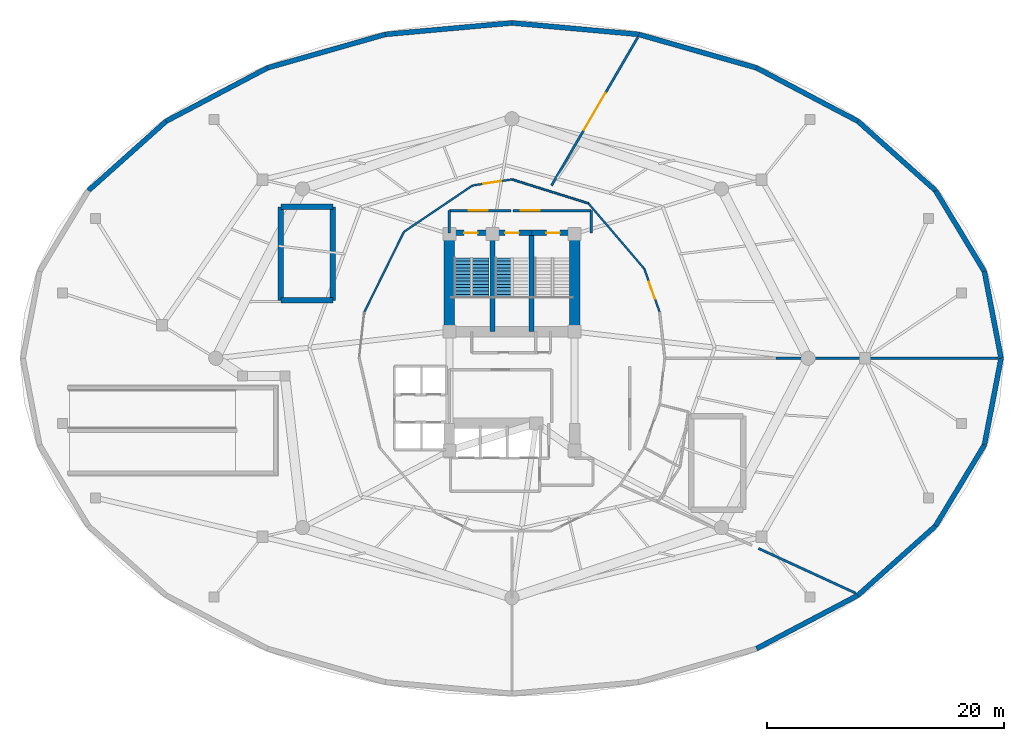
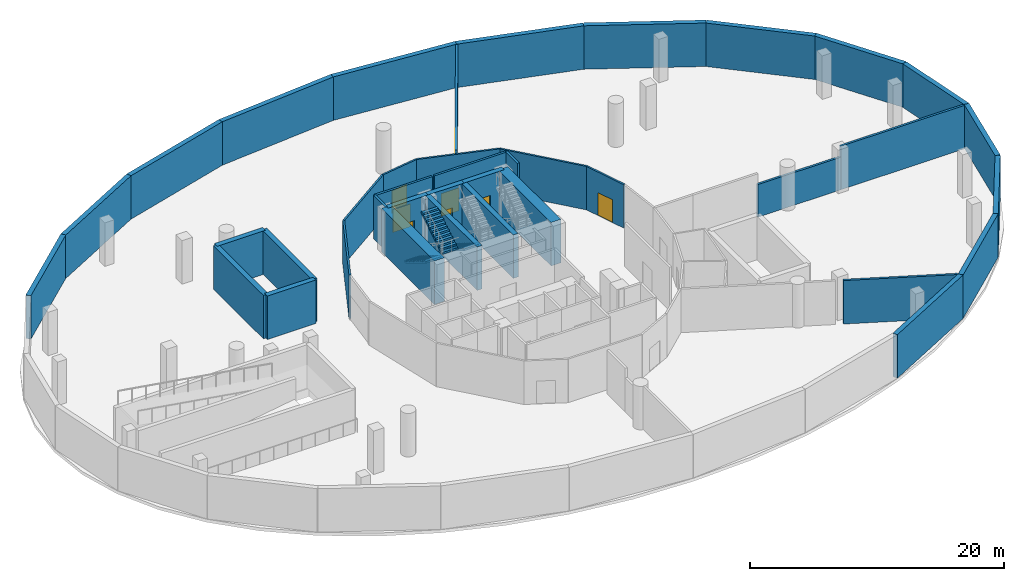
# One storey, part 5 of 8: 39 walls, 8 doors, 3 stair flights, 8 openings, 2 elements without a shape of their own.
"""IFC4 building model written with IfcOpenShell, lengths in metres."""

from ifc_helpers import new_model, si_unit, direction, frame, frame_2d, origin, place, context, subcontext, project, spatial, polyline, rectangle, outline, extrude, material, layer, layer_set, type_object, element, fill, aggregate, save


model = new_model("IFC4")

# Units and contexts
model_context = context("Model", 3, precision=1e-05, world=origin(), true_north=direction((0.0, 1.0)))
body_context = subcontext(model_context, "Body", "Model", "MODEL_VIEW")
ifc_project = project(units=[si_unit("LENGTHUNIT", "METRE"), si_unit("AREAUNIT", "SQUARE_METRE"), si_unit("VOLUMEUNIT", "CUBIC_METRE"), si_unit("PLANEANGLEUNIT", "RADIAN"), si_unit("MASSUNIT", "GRAM", prefix="KILO")], contexts=[model_context])

# Site, building, storey
site_placement = place(None, origin())
site = spatial("IfcSite", under=ifc_project, at=site_placement, CompositionType="ELEMENT")
building_placement = place(site_placement, origin())
building = spatial("IfcBuilding", under=site, at=building_placement, Name="Nuhasar Tower", CompositionType="ELEMENT")
storey_placement = place(building_placement, frame((0.0, 0.0, -4.5)))
storey = spatial("IfcBuildingStorey", under=building, at=storey_placement, Name="B1", CompositionType="ELEMENT", Elevation=-4.5)

# Wall, opening, door
ifc_material_1 = material(Name="Concrete C50/60", Category="concrete")
ifc_layer_1 = layer(ifc_material_1, 0.449951171875)
ifc_layer_set_1 = layer_set([ifc_layer_1], Name="Concrete C50/60")
wall_type_1 = type_object("IfcWallType", Name="WL-CORE-450", PredefinedType="SHEAR", material=ifc_layer_set_1)
wall_1_placement = place(storey_placement, frame((37.35009765625, 37.39990234375, 0.0), z_axis=(0.0, 0.0, 1.0), x_axis=(-1.0, 0.0, 0.0)))
wall_1 = element("IfcWall", 1, at=wall_1_placement, inside=storey, type_object=wall_type_1, Name="B1 Stairwell Shear Wall ST01-N", PredefinedType="SHEAR", context=body_context, shape_type="SweptSolid", body=[
    extrude(rectangle(XDim=3.650146484375, YDim=0.449951171875, at=frame_2d((1.8251953125, 0.0))), origin(), (0.0, 0.0, 1.0), 4.179931640625),
])
opening_1_placement = place(wall_1_placement, frame((1.25, 0.0, 0.0)))
opening_1 = element("IfcOpeningElement", 2, at=opening_1_placement, cuts=wall_1, Name="Opening DS-01", PredefinedType="OPENING", context=body_context, shape_type="SweptSolid", body=[
    extrude(rectangle(XDim=1.14990234375, YDim=2.14990234375, at=frame_2d((0.574951171875, 1.074951171875))), frame((0.0, 0.23486328125, 0.0), z_axis=(0.0, -1.0, 0.0), x_axis=(1.0, 0.0, 0.0)), (0.0, 0.0, 1.0), 0.469970703125),
])
ifc_material_2 = material(Name="Steel S355", Category="steel")
door_type_1 = type_object("IfcDoorType", Name="DR-STAIR-FD120-1150", OperationType="NOTDEFINED", PredefinedType="DOOR", material=ifc_material_2)
door_1_placement = place(opening_1_placement, origin())
door_1 = element("IfcDoor", 3, at=door_1_placement, inside=storey, type_object=door_type_1, Name="B1 Exit Stair ST-01 Door", OperationType="SINGLE_SWING_RIGHT", OverallHeight=2.14990234375, OverallWidth=1.14990234375, PredefinedType="DOOR", context=body_context, shape_type="SweptSolid", body=[
    extrude(rectangle(XDim=1.14990234375, YDim=2.14990234375, at=frame_2d((0.574951171875, 1.074951171875))), frame((0.0, 0.02490234375, 0.0), z_axis=(0.0, -1.0, 0.0), x_axis=(1.0, 0.0, 0.0)), (0.0, 0.0, 1.0), 0.050048828125),
])
fill(opening_1, door_1)

# Wall
wall_2_placement = place(storey_placement, frame((37.35009765625, 29.050048828125, 0.0), z_axis=(0.0, 0.0, 1.0), x_axis=(0.0, 1.0, 0.0)))
element("IfcWall", 4, at=wall_2_placement, inside=storey, type_object=wall_type_1, Name="B1 Stairwell Shear Wall ST01-E", PredefinedType="SHEAR", context=body_context, shape_type="SweptSolid", body=[
    extrude(rectangle(XDim=8.349853515625, YDim=0.449951171875, at=frame_2d((4.1748046875, 0.0))), origin(), (0.0, 0.0, 1.0), 4.179931640625),
])

# Wall, opening, door
wall_3_placement = place(storey_placement, frame((40.64990234375, 37.39990234375, 0.0), z_axis=(0.0, 0.0, 1.0), x_axis=(-1.0, 0.0, 0.0)))
wall_3 = element("IfcWall", 5, at=wall_3_placement, inside=storey, type_object=wall_type_1, Name="B1 Stairwell Shear Wall ST03-N", PredefinedType="SHEAR", context=body_context, shape_type="SweptSolid", body=[
    extrude(rectangle(XDim=3.2998046875, YDim=0.449951171875, at=frame_2d((1.64990234375, 0.0))), origin(), (0.0, 0.0, 1.0), 4.179931640625),
])
opening_2_placement = place(wall_3_placement, frame((1.074951171875, 0.0, 0.0)))
opening_2 = element("IfcOpeningElement", 6, at=opening_2_placement, cuts=wall_3, Name="Opening DS-01", PredefinedType="OPENING", context=body_context, shape_type="SweptSolid", body=[
    extrude(rectangle(XDim=1.14990234375, YDim=2.14990234375, at=frame_2d((0.574951171875, 1.074951171875))), frame((0.0, 0.23486328125, 0.0), z_axis=(0.0, -1.0, 0.0), x_axis=(1.0, 0.0, 0.0)), (0.0, 0.0, 1.0), 0.469970703125),
])
door_2_placement = place(opening_2_placement, origin())
door_2 = element("IfcDoor", 7, at=door_2_placement, inside=storey, type_object=door_type_1, Name="B1 Exit Stair ST-03 Door", OperationType="SINGLE_SWING_RIGHT", OverallHeight=2.14990234375, OverallWidth=1.14990234375, PredefinedType="DOOR", context=body_context, shape_type="SweptSolid", body=[
    extrude(rectangle(XDim=1.14990234375, YDim=2.14990234375, at=frame_2d((0.574951171875, 1.074951171875))), frame((0.0, 0.02490234375, 0.0), z_axis=(0.0, -1.0, 0.0), x_axis=(1.0, 0.0, 0.0)), (0.0, 0.0, 1.0), 0.050048828125),
])
fill(opening_2, door_2)

# Wall
wall_4_placement = place(storey_placement, frame((40.64990234375, 29.050048828125, 0.0), z_axis=(0.0, 0.0, 1.0), x_axis=(0.0, 1.0, 0.0)))
element("IfcWall", 8, at=wall_4_placement, inside=storey, type_object=wall_type_1, Name="B1 Stairwell Shear Wall ST03-E", PredefinedType="SHEAR", context=body_context, shape_type="SweptSolid", body=[
    extrude(rectangle(XDim=8.349853515625, YDim=0.449951171875, at=frame_2d((4.1748046875, 0.0))), origin(), (0.0, 0.0, 1.0), 4.179931640625),
])

# Wall, opening, door
wall_5_placement = place(storey_placement, frame((44.300048828125, 37.39990234375, 0.0), z_axis=(0.0, 0.0, 1.0), x_axis=(-1.0, 0.0, 0.0)))
wall_5 = element("IfcWall", 9, at=wall_5_placement, inside=storey, type_object=wall_type_1, Name="B1 Stairwell Shear Wall ST02-N", PredefinedType="SHEAR", context=body_context, shape_type="SweptSolid", body=[
    extrude(rectangle(XDim=3.650146484375, YDim=0.449951171875, at=frame_2d((1.8251953125, 0.0))), origin(), (0.0, 0.0, 1.0), 4.179931640625),
])
opening_3_placement = place(wall_5_placement, frame((1.25, 0.0, 0.0)))
opening_3 = element("IfcOpeningElement", 10, at=opening_3_placement, cuts=wall_5, Name="Opening DS-01", PredefinedType="OPENING", context=body_context, shape_type="SweptSolid", body=[
    extrude(rectangle(XDim=1.14990234375, YDim=2.14990234375, at=frame_2d((0.574951171875, 1.074951171875))), frame((0.0, 0.23486328125, 0.0), z_axis=(0.0, -1.0, 0.0), x_axis=(1.0, 0.0, 0.0)), (0.0, 0.0, 1.0), 0.469970703125),
])
door_3_placement = place(opening_3_placement, origin())
door_3 = element("IfcDoor", 11, at=door_3_placement, inside=storey, type_object=door_type_1, Name="B1 Exit Stair ST-02 Door", OperationType="SINGLE_SWING_LEFT", OverallHeight=2.14990234375, OverallWidth=1.14990234375, PredefinedType="DOOR", context=body_context, shape_type="SweptSolid", body=[
    extrude(rectangle(XDim=1.14990234375, YDim=2.14990234375, at=frame_2d((0.574951171875, 1.074951171875))), frame((0.0, 0.02490234375, 0.0), z_axis=(0.0, -1.0, 0.0), x_axis=(1.0, 0.0, 0.0)), (0.0, 0.0, 1.0), 0.050048828125),
])
fill(opening_3, door_3)

# Walls
for number, where, z_axis, x_axis, name in (
    (12, (19.449951171875, 31.699951171875, 0.0), (0.0, 0.0, 1.0), (1.0, 0.0, 0.0), "B1 Stairwell Shear Wall ST-04-S"),
    (13, (19.449951171875, 39.60009765625, 0.0), (0.0, 0.0, 1.0), (1.0, 0.0, 0.0), "B1 Stairwell Shear Wall ST-04-N"),
):
    element("IfcWall", number, at=place(storey_placement, frame(where, z_axis=z_axis, x_axis=x_axis)), inside=storey, type_object=wall_type_1, Name=name, PredefinedType="SHEAR", context=body_context, shape_type="SweptSolid", body=[
        extrude(rectangle(XDim=4.400146484375, YDim=0.449951171875, at=frame_2d((2.2001953125, 0.0))), origin(), (0.0, 0.0, 1.0), 4.179931640625),
    ])
for number, where, z_axis, x_axis, name in (
    (14, (19.449951171875, 31.699951171875, 0.0), (0.0, 0.0, 1.0), (0.0, 1.0, 0.0), "B1 Stairwell Shear Wall ST-04-W"),
    (15, (23.85009765625, 31.699951171875, 0.0), (0.0, 0.0, 1.0), (0.0, 1.0, 0.0), "B1 Stairwell Shear Wall ST-04-E"),
):
    element("IfcWall", number, at=place(storey_placement, frame(where, z_axis=z_axis, x_axis=x_axis)), inside=storey, type_object=wall_type_1, Name=name, PredefinedType="SHEAR", context=body_context, shape_type="SweptSolid", body=[
        extrude(rectangle(XDim=7.900146484375, YDim=0.449951171875, at=frame_2d((3.9501953125, 0.0))), origin(), (0.0, 0.0, 1.0), 4.179931640625),
    ])
ifc_material_3 = material(Name="Concrete C80/95", Category="concrete")
ifc_layer_2 = layer(ifc_material_3, 0.89990234375)
ifc_layer_set_2 = layer_set([ifc_layer_2], Name="Concrete C80/95")
wall_type_2 = type_object("IfcWallType", Name="WL-CORE-900", PredefinedType="SHEAR", material=ifc_layer_set_2)
for number, where, z_axis, x_axis, name in (
    (16, (33.699951171875, 29.050048828125, 0.0), (0.0, 0.0, 1.0), (0.0, 1.0, 0.0), "B1 Core Shear Wall CW-NW CW-900"),
    (17, (44.300048828125, 29.050048828125, 0.0), (0.0, 0.0, 1.0), (0.0, 1.0, 0.0), "B1 Core Shear Wall CW-NE CW-900"),
):
    element("IfcWall", number, at=place(storey_placement, frame(where, z_axis=z_axis, x_axis=x_axis)), inside=storey, type_object=wall_type_2, Name=name, PredefinedType="SHEAR", context=body_context, shape_type="SweptSolid", body=[
        extrude(rectangle(XDim=8.349853515625, YDim=0.89990234375, at=frame_2d((4.1748046875, 0.0))), origin(), (0.0, 0.0, 1.0), 4.179931640625),
    ])

# Wall, opening, door
ifc_material_4 = material(Name="Gypsum Board", Category="gypsum")
ifc_layer_3 = layer(ifc_material_4, 0.159912109375)
ifc_layer_set_3 = layer_set([ifc_layer_3], Name="Gypsum Board")
wall_type_3 = type_object("IfcWallType", Name="WL-CORR-160", PredefinedType="PARTITIONING", material=ifc_layer_set_3)
wall_6_placement = place(storey_placement, frame((50.18896484375, 34.360107421875, 0.0), z_axis=(0.0, 0.0, 1.0), x_axis=(0.333684770033, -0.942684716248, 0.0)))
wall_6 = element("IfcWall", 18, at=wall_6_placement, inside=storey, type_object=wall_type_3, Name="B1 Interior Partition CORR-02", PredefinedType="PARTITIONING", context=body_context, shape_type="SweptSolid", body=[
    extrude(rectangle(XDim=3.868896484375, YDim=0.159912109375, at=frame_2d((1.9345703125, 0.0))), origin(), (0.0, 0.0, 1.0), 4.179931640625),
])
opening_4_placement = place(wall_6_placement, frame((1.18408203125, 0.0, 0.0)))
opening_4 = element("IfcOpeningElement", 19, at=opening_4_placement, cuts=wall_6, Name="Opening DP-01", PredefinedType="OPENING", context=body_context, shape_type="SweptSolid", body=[
    extrude(rectangle(XDim=1.5, YDim=2.199951171875, at=frame_2d((0.75, 1.10009765625))), frame((0.0, 0.08984375, 0.0), z_axis=(0.0, -1.0, 0.0), x_axis=(1.0, 0.0, 0.0)), (0.0, 0.0, 1.0), 0.179931640625),
])
door_type_2 = type_object("IfcDoorType", Name="DR-PLANT-FD120-1500", OperationType="DOUBLE_DOOR_SINGLE_SWING", PredefinedType="DOOR", material=ifc_material_2)
door_4_placement = place(opening_4_placement, origin())
door_4 = element("IfcDoor", 20, at=door_4_placement, inside=storey, type_object=door_type_2, Name="B1 East Parking Hall Door", OperationType="DOUBLE_DOOR_SINGLE_SWING", OverallHeight=2.199951171875, OverallWidth=1.5, PredefinedType="DOOR", context=body_context, shape_type="SweptSolid", body=[
    extrude(rectangle(XDim=1.5, YDim=2.199951171875, at=frame_2d((0.75, 1.10009765625))), frame((0.0, 0.02490234375, 0.0), z_axis=(0.0, -1.0, 0.0), x_axis=(1.0, 0.0, 0.0)), (0.0, 0.0, 1.0), 0.050048828125),
])
fill(opening_4, door_4)

# Walls
wall_7_placement = place(storey_placement, frame((50.18896484375, 34.360107421875, 0.0), z_axis=(0.0, 0.0, 1.0), x_axis=(-0.649652680018, 0.760231145998, 0.0)))
element("IfcWall", 21, at=wall_7_placement, inside=storey, type_object=wall_type_3, Name="B1 Interior Partition CORR-04", PredefinedType="PARTITIONING", context=body_context, shape_type="SweptSolid", body=[
    extrude(rectangle(XDim=7.279296875, YDim=0.159912109375, at=frame_2d((3.6396484375, 0.0))), origin(), (0.0, 0.0, 1.0), 4.179931640625),
])
wall_8_placement = place(storey_placement, frame((45.4599609375, 39.89404296875, 0.0), z_axis=(0.0, 0.0, 1.0), x_axis=(-0.95417919824, 0.29923578938, 0.0)))
element("IfcWall", 22, at=wall_8_placement, inside=storey, type_object=wall_type_3, Name="B1 Interior Partition CORR-08", PredefinedType="PARTITIONING", context=body_context, shape_type="SweptSolid", body=[
    extrude(rectangle(XDim=6.770263671875, YDim=0.159912109375, at=frame_2d((3.38525390625, 0.0))), origin(), (0.0, 0.0, 1.0), 4.179931640625),
])

# Wall, opening, door
wall_9_placement = place(storey_placement, frame((35.656005859375, 41.405029296875, 0.0), z_axis=(0.0, 0.0, 1.0), x_axis=(0.988352503177, 0.152181895977, 0.0)))
wall_9 = element("IfcWall", 23, at=wall_9_placement, inside=storey, type_object=wall_type_3, Name="B1 Interior Partition CORR-12", PredefinedType="PARTITIONING", context=body_context, shape_type="SweptSolid", body=[
    extrude(rectangle(XDim=3.38330078125, YDim=0.159912109375, at=frame_2d((1.691650390625, 0.0))), origin(), (0.0, 0.0, 1.0), 4.179931640625),
])
opening_5_placement = place(wall_9_placement, frame((0.94189453125, 0.0, 0.0)))
opening_5 = element("IfcOpeningElement", 24, at=opening_5_placement, cuts=wall_9, Name="Opening DP-01", PredefinedType="OPENING", context=body_context, shape_type="SweptSolid", body=[
    extrude(rectangle(XDim=1.5, YDim=2.199951171875, at=frame_2d((0.75, 1.10009765625))), frame((0.0, 0.08984375, 0.0), z_axis=(0.0, -1.0, 0.0), x_axis=(1.0, 0.0, 0.0)), (0.0, 0.0, 1.0), 0.179931640625),
])
door_5_placement = place(opening_5_placement, origin())
door_5 = element("IfcDoor", 25, at=door_5_placement, inside=storey, type_object=door_type_2, Name="B1 North Parking Aisle Door", OperationType="DOUBLE_DOOR_SINGLE_SWING", OverallHeight=2.199951171875, OverallWidth=1.5, PredefinedType="DOOR", context=body_context, shape_type="SweptSolid", body=[
    extrude(rectangle(XDim=1.5, YDim=2.199951171875, at=frame_2d((0.75, 1.10009765625))), frame((0.0, 0.02490234375, 0.0), z_axis=(0.0, -1.0, 0.0), x_axis=(1.0, 0.0, 0.0)), (0.0, 0.0, 1.0), 0.050048828125),
])
fill(opening_5, door_5)

# Walls
wall_10_placement = place(storey_placement, frame((35.656005859375, 41.405029296875, 0.0), z_axis=(0.0, 0.0, 1.0), x_axis=(-0.828552185686, -0.559911846271, 0.0)))
element("IfcWall", 26, at=wall_10_placement, inside=storey, type_object=wall_type_3, Name="B1 Interior Partition CORR-14", PredefinedType="PARTITIONING", context=body_context, shape_type="SweptSolid", body=[
    extrude(rectangle(XDim=6.990478515625, YDim=0.159912109375, at=frame_2d((3.4951171875, 0.0))), origin(), (0.0, 0.0, 1.0), 4.179931640625),
])
wall_11_placement = place(storey_placement, frame((29.864013671875, 37.490966796875, 0.0), z_axis=(0.0, 0.0, 1.0), x_axis=(-0.44243947754, -0.896798365696, 0.0)))
element("IfcWall", 27, at=wall_11_placement, inside=storey, type_object=wall_type_3, Name="B1 Interior Partition CORR-18", PredefinedType="PARTITIONING", context=body_context, shape_type="SweptSolid", body=[
    extrude(rectangle(XDim=7.55810546875, YDim=0.159912109375, at=frame_2d((3.779052734375, 0.0))), origin(), (0.0, 0.0, 1.0), 4.179931640625),
])
ifc_layer_4 = layer(ifc_material_1, 0.419921875)
ifc_layer_set_4 = layer_set([ifc_layer_4], Name="Concrete C50/60")
wall_type_4 = type_object("IfcWallType", Name="WL-DIAPH-420", PredefinedType="SHEAR", material=ifc_layer_set_4)
wall_12_placement = place(storey_placement, frame((80.35009765625, 26.800048828125, 0.0), z_axis=(0.0, 0.0, 1.0), x_axis=(-0.188595316219, 0.982054889861, 0.0)))
element("IfcWall", 28, at=wall_12_placement, inside=storey, type_object=wall_type_4, Name="B1 Perimeter Diaphragm Retaining Wall 01 DW-420", PredefinedType="SHEAR", context=body_context, shape_type="SweptSolid", body=[
    extrude(rectangle(XDim=7.471923828125, YDim=0.419921875, at=frame_2d((3.73583984375, 0.0))), origin(), (0.0, 0.0, 1.0), 4.179931640625),
])
wall_13_placement = place(storey_placement, frame((78.94091796875, 34.137939453125, 0.0), z_axis=(0.0, 0.0, 1.0), x_axis=(-0.517122636798, 0.85591131463, 0.0)))
element("IfcWall", 29, at=wall_13_placement, inside=storey, type_object=wall_type_4, Name="B1 Perimeter Diaphragm Retaining Wall 02 DW-420", PredefinedType="SHEAR", context=body_context, shape_type="SweptSolid", body=[
    extrude(rectangle(XDim=7.98828125, YDim=0.419921875, at=frame_2d((3.994140625, 0.0))), origin(), (0.0, 0.0, 1.0), 4.179931640625),
])
wall_14_placement = place(storey_placement, frame((74.81005859375, 40.97509765625, 0.0), z_axis=(0.0, 0.0, 1.0), x_axis=(-0.745720826992, 0.666258544554, 0.0)))
element("IfcWall", 30, at=wall_14_placement, inside=storey, type_object=wall_type_4, Name="B1 Perimeter Diaphragm Retaining Wall 03 DW-420", PredefinedType="SHEAR", context=body_context, shape_type="SweptSolid", body=[
    extrude(rectangle(XDim=8.811767578125, YDim=0.419921875, at=frame_2d((4.40576171875, 0.0))), origin(), (0.0, 0.0, 1.0), 4.179931640625),
])
wall_15_placement = place(storey_placement, frame((68.239013671875, 46.845947265625, 0.0), z_axis=(0.0, 0.0, 1.0), x_axis=(-0.884971300821, 0.465645569852, 0.0)))
element("IfcWall", 31, at=wall_15_placement, inside=storey, type_object=wall_type_4, Name="B1 Perimeter Diaphragm Retaining Wall 04 DW-420", PredefinedType="SHEAR", context=body_context, shape_type="SweptSolid", body=[
    extrude(rectangle(XDim=9.677001953125, YDim=0.419921875, at=frame_2d((4.83837890625, 0.0))), origin(), (0.0, 0.0, 1.0), 4.179931640625),
])
wall_16_placement = place(storey_placement, frame((59.675048828125, 51.35205078125, 0.0), z_axis=(0.0, 0.0, 1.0), x_axis=(-0.961967006375, 0.273165661541, 0.0)))
element("IfcWall", 32, at=wall_16_placement, inside=storey, type_object=wall_type_4, Name="B1 Perimeter Diaphragm Retaining Wall 05 DW-420", PredefinedType="SHEAR", context=body_context, shape_type="SweptSolid", body=[
    extrude(rectangle(XDim=10.367431640625, YDim=0.419921875, at=frame_2d((5.18359375, 0.0))), origin(), (0.0, 0.0, 1.0), 4.179931640625),
])
for number, where, z_axis, x_axis, name in (
    (33, (49.701904296875, 54.18408203125, 0.0), (0.0, 0.0, 1.0), (-0.995952400538, 0.089882233296, 0.0), "B1 Perimeter Diaphragm Retaining Wall 06 DW-420"),
    (34, (39.0, 55.14990234375, 0.0), (0.0, 0.0, 1.0), (-0.995952400538, -0.089882233296, 0.0), "B1 Perimeter Diaphragm Retaining Wall 07 DW-420"),
):
    element("IfcWall", number, at=place(storey_placement, frame(where, z_axis=z_axis, x_axis=x_axis)), inside=storey, type_object=wall_type_4, Name=name, PredefinedType="SHEAR", context=body_context, shape_type="SweptSolid", body=[
        extrude(rectangle(XDim=10.745361328125, YDim=0.419921875, at=frame_2d((5.37255859375, 0.0))), origin(), (0.0, 0.0, 1.0), 4.179931640625),
    ])
wall_17_placement = place(storey_placement, frame((28.298095703125, 54.18408203125, 0.0), z_axis=(0.0, 0.0, 1.0), x_axis=(-0.961967006375, -0.273165661541, 0.0)))
element("IfcWall", 35, at=wall_17_placement, inside=storey, type_object=wall_type_4, Name="B1 Perimeter Diaphragm Retaining Wall 08 DW-420", PredefinedType="SHEAR", context=body_context, shape_type="SweptSolid", body=[
    extrude(rectangle(XDim=10.367431640625, YDim=0.419921875, at=frame_2d((5.18359375, 0.0))), origin(), (0.0, 0.0, 1.0), 4.179931640625),
])
wall_18_placement = place(storey_placement, frame((18.324951171875, 51.35205078125, 0.0), z_axis=(0.0, 0.0, 1.0), x_axis=(-0.884971300821, -0.465645569852, 0.0)))
element("IfcWall", 36, at=wall_18_placement, inside=storey, type_object=wall_type_4, Name="B1 Perimeter Diaphragm Retaining Wall 09 DW-420", PredefinedType="SHEAR", context=body_context, shape_type="SweptSolid", body=[
    extrude(rectangle(XDim=9.677001953125, YDim=0.419921875, at=frame_2d((4.83837890625, 0.0))), origin(), (0.0, 0.0, 1.0), 4.179931640625),
])
wall_19_placement = place(storey_placement, frame((9.760986328125, 46.845947265625, 0.0), z_axis=(0.0, 0.0, 1.0), x_axis=(-0.745720826992, -0.666258544554, 0.0)))
element("IfcWall", 37, at=wall_19_placement, inside=storey, type_object=wall_type_4, Name="B1 Perimeter Diaphragm Retaining Wall 10 DW-420", PredefinedType="SHEAR", context=body_context, shape_type="SweptSolid", body=[
    extrude(rectangle(XDim=8.811767578125, YDim=0.419921875, at=frame_2d((4.40576171875, 0.0))), origin(), (0.0, 0.0, 1.0), 4.179931640625),
])
wall_20_placement = place(storey_placement, frame((59.675048828125, 2.248046875, 0.0), z_axis=(0.0, 0.0, 1.0), x_axis=(0.884981697028, 0.46562581106, 0.0)))
element("IfcWall", 38, at=wall_20_placement, inside=storey, type_object=wall_type_4, Name="B1 Perimeter Diaphragm Retaining Wall 21 DW-420", PredefinedType="SHEAR", context=body_context, shape_type="SweptSolid", body=[
    extrude(rectangle(XDim=9.677001953125, YDim=0.419921875, at=frame_2d((4.83837890625, 0.0))), origin(), (0.0, 0.0, 1.0), 4.179931640625),
])
wall_21_placement = place(storey_placement, frame((68.239013671875, 6.75390625, 0.0), z_axis=(0.0, 0.0, 1.0), x_axis=(0.745707061302, 0.666273951707, 0.0)))
element("IfcWall", 39, at=wall_21_placement, inside=storey, type_object=wall_type_4, Name="B1 Perimeter Diaphragm Retaining Wall 22 DW-420", PredefinedType="SHEAR", context=body_context, shape_type="SweptSolid", body=[
    extrude(rectangle(XDim=8.811767578125, YDim=0.419921875, at=frame_2d((4.40576171875, 0.0))), origin(), (0.0, 0.0, 1.0), 4.179931640625),
])
wall_22_placement = place(storey_placement, frame((74.81005859375, 12.625, 0.0), z_axis=(0.0, 0.0, 1.0), x_axis=(0.517136164524, 0.855903141332, 0.0)))
element("IfcWall", 40, at=wall_22_placement, inside=storey, type_object=wall_type_4, Name="B1 Perimeter Diaphragm Retaining Wall 23 DW-420", PredefinedType="SHEAR", context=body_context, shape_type="SweptSolid", body=[
    extrude(rectangle(XDim=7.988037109375, YDim=0.419921875, at=frame_2d((3.994140625, 0.0))), origin(), (0.0, 0.0, 1.0), 4.179931640625),
])
wall_23_placement = place(storey_placement, frame((78.94091796875, 19.4619140625, 0.0), z_axis=(0.0, 0.0, 1.0), x_axis=(0.188589264795, 0.982056051966, 0.0)))
element("IfcWall", 41, at=wall_23_placement, inside=storey, type_object=wall_type_4, Name="B1 Perimeter Diaphragm Retaining Wall 24 DW-420", PredefinedType="SHEAR", context=body_context, shape_type="SweptSolid", body=[
    extrude(rectangle(XDim=7.47216796875, YDim=0.419921875, at=frame_2d((3.736083984375, 0.0))), origin(), (0.0, 0.0, 1.0), 4.179931640625),
])
ifc_material_5 = material(Name="Concrete C45/55", Category="concrete")
ifc_layer_5 = layer(ifc_material_5, 0.199951171875)
ifc_layer_set_5 = layer_set([ifc_layer_5], Name="Concrete C45/55")
wall_type_5 = type_object("IfcWallType", Name="WL-LOBBY-200", PredefinedType="SOLIDWALL", material=ifc_layer_set_5)
for number, where, z_axis, x_axis, name in (
    (42, (33.699951171875, 37.39990234375, 0.0), (0.0, 0.0, 1.0), (0.0, 1.0, 0.0), "B1 Interior Partition NSL-W"),
    (43, (45.699951171875, 37.39990234375, 0.0), (0.0, 0.0, 1.0), (0.0, 1.0, 0.0), "B1 Interior Partition NSL-E"),
):
    element("IfcWall", number, at=place(storey_placement, frame(where, z_axis=z_axis, x_axis=x_axis)), inside=storey, type_object=wall_type_5, Name=name, PredefinedType="SOLIDWALL", context=body_context, shape_type="SweptSolid", body=[
        extrude(rectangle(XDim=1.880126953125, YDim=0.199951171875, at=frame_2d((0.93994140625, 0.0))), origin(), (0.0, 0.0, 1.0), 4.179931640625),
    ])

# Wall, opening, door
wall_24_placement = place(storey_placement, frame((38.89990234375, 39.280029296875, 0.0), z_axis=(0.0, 0.0, 1.0), x_axis=(-1.0, 0.0, 0.0)))
wall_24 = element("IfcWall", 44, at=wall_24_placement, inside=storey, type_object=wall_type_5, Name="B1 Interior Partition NSL-N1", PredefinedType="SOLIDWALL", context=body_context, shape_type="SweptSolid", body=[
    extrude(rectangle(XDim=5.199951171875, YDim=0.199951171875, at=frame_2d((2.60009765625, 0.0))), origin(), (0.0, 0.0, 1.0), 4.179931640625),
])
opening_6_placement = place(wall_24_placement, frame((1.949951171875, 0.0, 0.0)))
opening_6 = element("IfcOpeningElement", 45, at=opening_6_placement, cuts=wall_24, Name="Opening DC-01", PredefinedType="OPENING", context=body_context, shape_type="SweptSolid", body=[
    extrude(rectangle(XDim=1.60009765625, YDim=2.199951171875, at=frame_2d((0.800048828125, 1.10009765625))), frame((0.0, 0.10986328125, 0.0), z_axis=(0.0, -1.0, 0.0), x_axis=(1.0, 0.0, 0.0)), (0.0, 0.0, 1.0), 0.219970703125),
])
door_type_3 = type_object("IfcDoorType", Name="DR-CORR-FD60-1600", OperationType="DOUBLE_DOOR_SINGLE_SWING", PredefinedType="DOOR", material=ifc_material_2)
door_6_placement = place(opening_6_placement, origin())
door_6 = element("IfcDoor", 46, at=door_6_placement, inside=storey, type_object=door_type_3, Name="B1 North Stair Lobby West Door", OperationType="DOUBLE_DOOR_SINGLE_SWING", OverallHeight=2.199951171875, OverallWidth=1.60009765625, PredefinedType="DOOR", context=body_context, shape_type="SweptSolid", body=[
    extrude(rectangle(XDim=1.60009765625, YDim=2.199951171875, at=frame_2d((0.800048828125, 1.10009765625))), frame((0.0, 0.02490234375, 0.0), z_axis=(0.0, -1.0, 0.0), x_axis=(1.0, 0.0, 0.0)), (0.0, 0.0, 1.0), 0.050048828125),
])
fill(opening_6, door_6)

wall_25_placement = place(storey_placement, frame((45.699951171875, 39.280029296875, 0.0), z_axis=(0.0, 0.0, 1.0), x_axis=(-1.0, 0.0, 0.0)))
wall_25 = element("IfcWall", 47, at=wall_25_placement, inside=storey, type_object=wall_type_5, Name="B1 Interior Partition NSL-N2", PredefinedType="SOLIDWALL", context=body_context, shape_type="SweptSolid", body=[
    extrude(rectangle(XDim=6.599853515625, YDim=0.199951171875, at=frame_2d((3.2998046875, 0.0))), origin(), (0.0, 0.0, 1.0), 4.179931640625),
])
opening_7_placement = place(wall_25_placement, frame((4.35009765625, 0.0, 0.0)))
opening_7 = element("IfcOpeningElement", 48, at=opening_7_placement, cuts=wall_25, Name="Opening DC-01", PredefinedType="OPENING", context=body_context, shape_type="SweptSolid", body=[
    extrude(rectangle(XDim=1.60009765625, YDim=2.199951171875, at=frame_2d((0.800048828125, 1.10009765625))), frame((0.0, 0.10986328125, 0.0), z_axis=(0.0, -1.0, 0.0), x_axis=(1.0, 0.0, 0.0)), (0.0, 0.0, 1.0), 0.219970703125),
])
door_7_placement = place(opening_7_placement, origin())
door_7 = element("IfcDoor", 49, at=door_7_placement, inside=storey, type_object=door_type_3, Name="B1 North Stair Lobby East Door", OperationType="DOUBLE_DOOR_SINGLE_SWING", OverallHeight=2.199951171875, OverallWidth=1.60009765625, PredefinedType="DOOR", context=body_context, shape_type="SweptSolid", body=[
    extrude(rectangle(XDim=1.60009765625, YDim=2.199951171875, at=frame_2d((0.800048828125, 1.10009765625))), frame((0.0, 0.02490234375, 0.0), z_axis=(0.0, -1.0, 0.0), x_axis=(1.0, 0.0, 0.0)), (0.0, 0.0, 1.0), 0.050048828125),
])
fill(opening_7, door_7)

# Walls
wall_26_placement = place(storey_placement, frame((61.31689453125, 26.800048828125, 0.0), z_axis=(0.0, 0.0, 1.0), x_axis=(1.0, 0.0, 0.0)))
element("IfcWall", 50, at=wall_26_placement, inside=storey, type_object=wall_type_5, Name="B1 Interior Partition BRAD-00-S2", PredefinedType="SOLIDWALL", context=body_context, shape_type="SweptSolid", body=[
    extrude(rectangle(XDim=7.533203125, YDim=0.199951171875, at=frame_2d((3.7666015625, 0.0))), origin(), (0.0, 0.0, 1.0), 3.139892578125),
])
wall_27_placement = place(storey_placement, frame((68.85009765625, 26.800048828125, 0.0), z_axis=(0.0, 0.0, 1.0), x_axis=(1.0, 0.0, 0.0)))
element("IfcWall", 51, at=wall_27_placement, inside=storey, type_object=wall_type_5, Name="B1 Interior Partition BRAD-00-S2", PredefinedType="SOLIDWALL", context=body_context, shape_type="SweptSolid", body=[
    extrude(rectangle(XDim=11.23486328125, YDim=0.199951171875, at=frame_2d((5.617431640625, 0.0))), origin(), (0.0, 0.0, 1.0), 4.179931640625),
])

# Wall, opening, door
wall_28_placement = place(storey_placement, frame((42.343994140625, 41.405029296875, 0.0), z_axis=(0.0, 0.0, 1.0), x_axis=(0.503097710949, 0.864229537355, 0.0)))
wall_28 = element("IfcWall", 52, at=wall_28_placement, inside=storey, type_object=wall_type_5, Name="B1 Interior Partition BRAD-10", PredefinedType="SOLIDWALL", context=body_context, shape_type="SweptSolid", body=[
    extrude(rectangle(XDim=14.490234375, YDim=0.199951171875, at=frame_2d((7.2451171875, 0.0))), origin(), (0.0, 0.0, 1.0), 4.179931640625),
])
opening_8_placement = place(wall_28_placement, frame((5.445068359375, 0.0, 0.0)))
opening_8 = element("IfcOpeningElement", 53, at=opening_8_placement, cuts=wall_28, Name="Opening DG-01", PredefinedType="OPENING", context=body_context, shape_type="SweptSolid", body=[
    extrude(rectangle(XDim=3.60009765625, YDim=2.39990234375, at=frame_2d((1.800048828125, 1.199951171875))), frame((0.0, 0.10986328125, 0.0), z_axis=(0.0, -1.0, 0.0), x_axis=(1.0, 0.0, 0.0)), (0.0, 0.0, 1.0), 0.219970703125),
])
door_type_4 = type_object("IfcDoorType", Name="DR-VEH-GATE-3600", OperationType="ROLLINGUP", PredefinedType="GATE", material=ifc_material_2)
door_8_placement = place(opening_8_placement, origin())
door_8 = element("IfcDoor", 54, at=door_8_placement, inside=storey, type_object=door_type_4, Name="B1 Parking Hall Vehicle Shutter", OperationType="ROLLINGUP", OverallHeight=2.39990234375, OverallWidth=3.60009765625, PredefinedType="GATE", context=body_context, shape_type="SweptSolid", body=[
    extrude(rectangle(XDim=3.60009765625, YDim=2.39990234375, at=frame_2d((1.800048828125, 1.199951171875))), frame((0.0, 0.02490234375, 0.0), z_axis=(0.0, -1.0, 0.0), x_axis=(1.0, 0.0, 0.0)), (0.0, 0.0, 1.0), 0.050048828125),
])
fill(opening_8, door_8)

# Wall
wall_29_placement = place(storey_placement, frame((59.841064453125, 10.719970703125, 0.0), z_axis=(0.0, 0.0, 1.0), x_axis=(0.90838663627, -0.41813122228, 0.0)))
element("IfcWall", 55, at=wall_29_placement, inside=storey, type_object=wall_type_5, Name="B1 Interior Partition BRAD-42-S2", PredefinedType="SOLIDWALL", context=body_context, shape_type="SweptSolid", body=[
    extrude(rectangle(XDim=9.037841796875, YDim=0.199951171875, at=frame_2d((4.51904296875, 0.0))), origin(), (0.0, 0.0, 1.0), 4.179931640625),
])

# Stair, stair flights
stair_type_1 = type_object("IfcStairType", Name="STR-ST-01-2F-26R-1731", PredefinedType="HALF_TURN_STAIR", material=ifc_material_5)
stair_1_placement = place(storey_placement, origin())
stair_1 = element("IfcStair", 56, at=stair_1_placement, inside=storey, type_object=stair_type_1, Name="B1 Exit Stair ST-01", PredefinedType="HALF_TURN_STAIR")
stair_flight_type_1 = type_object("IfcStairFlightType", Name="SFL-ST-01-13R-1731", PredefinedType="STRAIGHT", material=ifc_material_5)
stair_flight_1_placement = place(storey_placement, frame((34.830078125, 35.284912109375, 0.0), z_axis=(0.0, 0.0, 1.0), x_axis=(0.0, -1.0, 0.0)))
stair_flight_1 = element("IfcStairFlight", 57, at=stair_flight_1_placement, type_object=stair_flight_type_1, Name="ST-01 flight 1", NumberOfRisers=13, NumberOfTreads=12, PredefinedType="STRAIGHT", RiserHeight=0.173077, TreadLength=0.28, context=body_context, shape_type="SweptSolid", body=[
    extrude(outline(polyline([(0.0, 0.0), (0.0, 0.173095703125), (0.280029296875, 0.173095703125), (0.280029296875, 0.34619140625), (0.56005859375, 0.34619140625), (0.56005859375, 0.519287109375), (0.840087890625, 0.519287109375), (0.840087890625, 0.6923828125), (1.1201171875, 0.6923828125), (1.1201171875, 0.865478515625), (1.39990234375, 0.865478515625), (1.39990234375, 1.03857421875), (1.679931640625, 1.03857421875), (1.679931640625, 1.21142578125), (1.9599609375, 1.21142578125), (1.9599609375, 1.384521484375), (2.239990234375, 1.384521484375), (2.239990234375, 1.5576171875), (2.52001953125, 1.5576171875), (2.52001953125, 1.730712890625), (2.800048828125, 1.730712890625), (2.800048828125, 1.90380859375), (3.080078125, 1.90380859375), (3.080078125, 2.076904296875), (3.360107421875, 2.076904296875), (3.360107421875, 2.25), (3.360107421875, 1.888916015625), (0.30419921875, 0.0), (0.0, 0.0)])), frame((0.0, 0.7099609375, 0.0), z_axis=(0.0, -1.0, 0.0), x_axis=(1.0, 0.0, 0.0)), (0.0, 0.0, 1.0), 1.419921875),
])
stair_flight_2_placement = place(storey_placement, frame((36.35009765625, 31.925048828125, 2.25), z_axis=(0.0, 0.0, 1.0), x_axis=(0.0, 1.0, 0.0)))
stair_flight_2 = element("IfcStairFlight", 58, at=stair_flight_2_placement, type_object=stair_flight_type_1, Name="ST-01 flight 2", NumberOfRisers=13, NumberOfTreads=12, PredefinedType="STRAIGHT", RiserHeight=0.173077, TreadLength=0.28, context=body_context, shape_type="SweptSolid", body=[
    extrude(outline(polyline([(0.0, 0.0), (0.0, 0.173095703125), (0.280029296875, 0.173095703125), (0.280029296875, 0.34619140625), (0.56005859375, 0.34619140625), (0.56005859375, 0.519287109375), (0.840087890625, 0.519287109375), (0.840087890625, 0.6923828125), (1.1201171875, 0.6923828125), (1.1201171875, 0.865478515625), (1.39990234375, 0.865478515625), (1.39990234375, 1.03857421875), (1.679931640625, 1.03857421875), (1.679931640625, 1.21142578125), (1.9599609375, 1.21142578125), (1.9599609375, 1.384521484375), (2.239990234375, 1.384521484375), (2.239990234375, 1.5576171875), (2.52001953125, 1.5576171875), (2.52001953125, 1.730712890625), (2.800048828125, 1.730712890625), (2.800048828125, 1.90380859375), (3.080078125, 1.90380859375), (3.080078125, 2.076904296875), (3.360107421875, 2.076904296875), (3.360107421875, 2.25), (3.360107421875, 1.888916015625), (0.30419921875, 0.0), (0.0, 0.0)])), frame((0.0, 0.7099609375, 0.0), z_axis=(0.0, -1.0, 0.0), x_axis=(1.0, 0.0, 0.0)), (0.0, 0.0, 1.0), 1.419921875),
])
aggregate(stair_1, [stair_flight_1, stair_flight_2])

# Stair, stair flight
stair_type_2 = type_object("IfcStairType", Name="STR-ST-03-2F-26R-1731", PredefinedType="HALF_TURN_STAIR", material=ifc_material_5)
stair_2_placement = place(storey_placement, origin())
stair_2 = element("IfcStair", 59, at=stair_2_placement, inside=storey, type_object=stair_type_2, Name="B1 Exit Stair ST-03", PredefinedType="HALF_TURN_STAIR")
stair_flight_type_2 = type_object("IfcStairFlightType", Name="SFL-ST-03-13R-1731", PredefinedType="STRAIGHT", material=ifc_material_5)
stair_flight_3_placement = place(storey_placement, frame((38.280029296875, 35.284912109375, 0.0), z_axis=(0.0, 0.0, 1.0), x_axis=(0.0, -1.0, 0.0)))
stair_flight_3 = element("IfcStairFlight", 60, at=stair_flight_3_placement, type_object=stair_flight_type_2, Name="ST-03 flight 1", NumberOfRisers=13, NumberOfTreads=12, PredefinedType="STRAIGHT", RiserHeight=0.173077, TreadLength=0.28, context=body_context, shape_type="SweptSolid", body=[
    extrude(outline(polyline([(0.0, 0.0), (0.0, 0.173095703125), (0.280029296875, 0.173095703125), (0.280029296875, 0.34619140625), (0.56005859375, 0.34619140625), (0.56005859375, 0.519287109375), (0.840087890625, 0.519287109375), (0.840087890625, 0.6923828125), (1.1201171875, 0.6923828125), (1.1201171875, 0.865478515625), (1.39990234375, 0.865478515625), (1.39990234375, 1.03857421875), (1.679931640625, 1.03857421875), (1.679931640625, 1.21142578125), (1.9599609375, 1.21142578125), (1.9599609375, 1.384521484375), (2.239990234375, 1.384521484375), (2.239990234375, 1.5576171875), (2.52001953125, 1.5576171875), (2.52001953125, 1.730712890625), (2.800048828125, 1.730712890625), (2.800048828125, 1.90380859375), (3.080078125, 1.90380859375), (3.080078125, 2.076904296875), (3.360107421875, 2.076904296875), (3.360107421875, 2.25), (3.360107421875, 1.888916015625), (0.30419921875, 0.0), (0.0, 0.0)])), frame((0.0, 0.669921875, 0.0), z_axis=(0.0, -1.0, 0.0), x_axis=(1.0, 0.0, 0.0)), (0.0, 0.0, 1.0), 1.340087890625),
])
aggregate(stair_2, [stair_flight_3])

save(model, "model.ifc")
